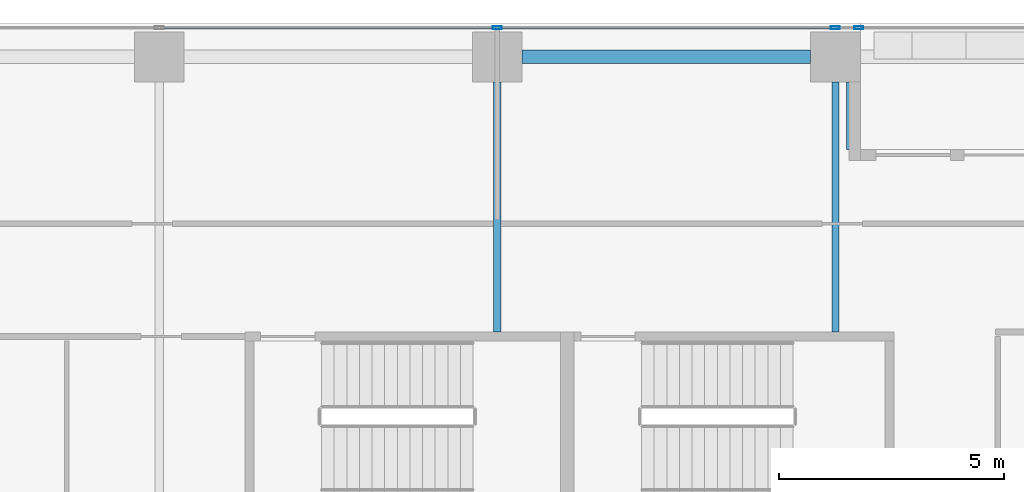
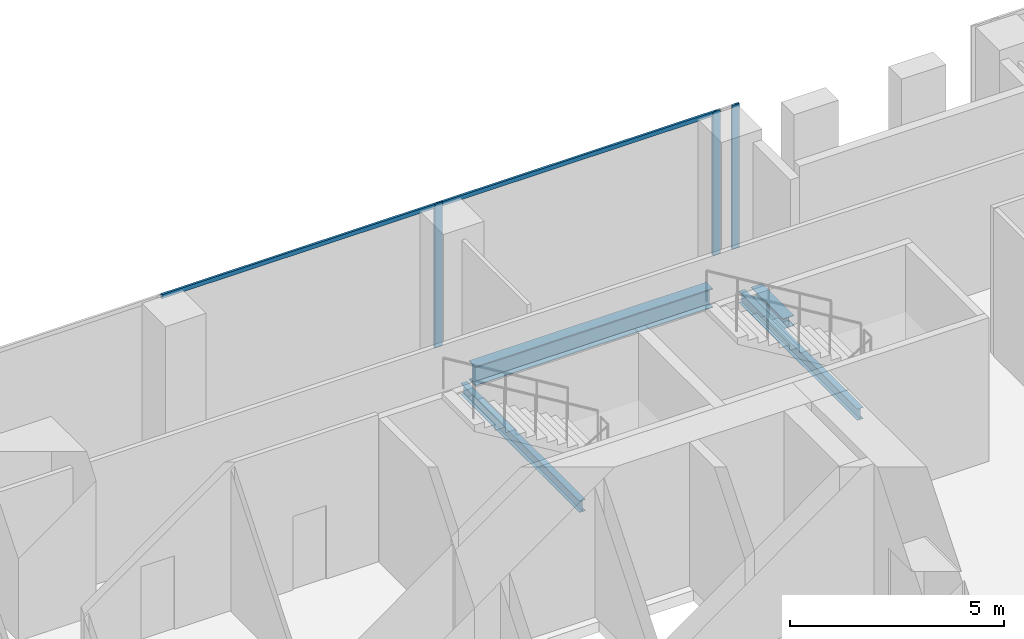
# One storey, part 17 of 35: 5 members, 4 beams, 1 element without a shape of its own.
"""IFC4 building model written with IfcOpenShell, lengths in metres."""

import ifcopenshell
import ifcopenshell.guid

model = None  # the IFC model being written
_history = None  # IfcOwnerHistory: only IFC2X3 demands one
_inside = {}  # id of a spatial element -> (the spatial element, [elements in it])
_under = {}  # id of a project, library or spatial element -> (it, [spatial elements below it])
_declared = {}  # id of a project -> (the project, [libraries it declares])
_typed = {}  # id of a type object -> (the type object, [elements of that type])
_made_of = {}  # id of a material, layer set ... -> (it, [elements and type objects made of it])


def new_model(schema):
    """Start an empty IFC model of exactly this schema.

    Asked for "IFC4X3", IfcOpenShell would pick the latest addendum, in which some entities
    have other attributes; the version numbers below select the first issue.
    IFC2X3 requires an IfcOwnerHistory on every rooted entity: one is made here for all.
    """
    global model, _history
    if schema == "IFC4X3":
        model = ifcopenshell.file(schema_version=(4, 3, 0, 0))
    else:
        model = ifcopenshell.file(schema=schema)
    _inside.clear()
    _under.clear()
    _declared.clear()
    _typed.clear()
    _made_of.clear()
    _history = None
    if model.schema == "IFC2X3":
        org = make("IfcOrganization", Name="unknown")
        user = make(
            "IfcPersonAndOrganization",
            ThePerson=make("IfcPerson", FamilyName="unknown"),
            TheOrganization=org,
        )
        app = make(
            "IfcApplication",
            ApplicationDeveloper=org,
            Version="unknown",
            ApplicationFullName="unknown",
            ApplicationIdentifier="unknown",
        )
        _history = make(
            "IfcOwnerHistory",
            OwningUser=user,
            OwningApplication=app,
            ChangeAction="ADDED",
            CreationDate=0,
        )
    return model


def make(cls, **values):
    """One entity of the class cls with the attributes given. An attribute that is None is left unset."""
    return model.create_entity(
        cls, **{name: value for name, value in values.items() if value is not None}
    )


def rooted(cls, **values):
    """An entity with a GlobalId (a new one), such as an element, a storey or a relation."""
    return make(cls, GlobalId=ifcopenshell.guid.new(), OwnerHistory=_history, **values)


def si_unit(unit_type, name, prefix=None):
    """IfcSIUnit, for example si_unit("LENGTHUNIT", "METRE", prefix="MILLI")."""
    return make("IfcSIUnit", UnitType=unit_type, Prefix=prefix, Name=name)


def assignment(units):
    """IfcUnitAssignment: the units of a project."""
    return None if units is None else make("IfcUnitAssignment", Units=units)


def point(xyz):
    """IfcCartesianPoint."""
    return None if xyz is None else make("IfcCartesianPoint", Coordinates=xyz)


def direction(xyz):
    """IfcDirection."""
    return None if xyz is None else make("IfcDirection", DirectionRatios=xyz)


def frame(location, z_axis=None, x_axis=None):
    """IfcAxis2Placement3D, a coordinate frame: its origin and axes. An axis left out is left unset."""
    return make(
        "IfcAxis2Placement3D",
        Location=point(location),
        Axis=direction(z_axis),
        RefDirection=direction(x_axis),
    )


def frame_2d(location, x_axis=None):
    """IfcAxis2Placement2D, a coordinate frame in the plane: its origin and x axis."""
    return make(
        "IfcAxis2Placement2D", Location=point(location), RefDirection=direction(x_axis)
    )


def origin():
    """The frame at (0, 0, 0) with its axes left unset."""
    return frame((0.0, 0.0, 0.0))


def origin_2d():
    """The frame at (0, 0) in the plane with its x axis left unset."""
    return frame_2d((0.0, 0.0))


def place(relative_to, where):
    """IfcLocalPlacement: puts the frame where relative to a parent placement (None: the world)."""
    return make(
        "IfcLocalPlacement", PlacementRelTo=relative_to, RelativePlacement=where
    )


def context(
    kind, dimensions, precision=None, world=None, true_north=None, identifier=None
):
    """IfcGeometricRepresentationContext, for example the 3D "Model" context."""
    return make(
        "IfcGeometricRepresentationContext",
        ContextIdentifier=identifier,
        ContextType=kind,
        CoordinateSpaceDimension=dimensions,
        Precision=precision,
        WorldCoordinateSystem=world,
        TrueNorth=true_north,
    )


def subcontext(parent, identifier, kind, view, scale=None):
    """IfcGeometricRepresentationSubContext, for example "Body" below "Model"."""
    return make(
        "IfcGeometricRepresentationSubContext",
        ContextIdentifier=identifier,
        ContextType=kind,
        ParentContext=parent,
        TargetScale=scale,
        TargetView=view,
    )


def project(units=None, contexts=None):
    """IfcProject with its units and contexts."""
    return rooted(
        "IfcProject",
        Name="project",
        RepresentationContexts=contexts,
        UnitsInContext=assignment(units),
    )


def spatial(cls, under=None, at=None, **own):
    """A site, building, storey or space (cls), placed at a placement, below another one or the project."""
    s = rooted(cls, ObjectPlacement=at, **own)
    if under is not None:
        _under.setdefault(under.id(), (under, []))[1].append(s)
    return s


def profile(cls, at=None, kind="AREA", **sizes):
    """A parametric profile (cls). Its sizes go by their IFC names, for example OverallWidth=200.0."""
    return make(cls, ProfileType=kind, Position=at, **sizes)


def hollow_rectangle(**sizes):
    """IfcRectangleHollowProfileDef."""
    return profile("IfcRectangleHollowProfileDef", **sizes)


def i_section(**sizes):
    """IfcIShapeProfileDef."""
    return profile("IfcIShapeProfileDef", **sizes)


def extrude(swept, where, along, depth):
    """IfcExtrudedAreaSolid: the profile swept, set in the frame where, extruded along a direction by depth."""
    return make(
        "IfcExtrudedAreaSolid",
        SweptArea=swept,
        Position=where,
        ExtrudedDirection=direction(along),
        Depth=depth,
    )


def shape(context_of_items, identifier, shape_type, items):
    """IfcShapeRepresentation: the items that make up one representation, for example the "Body"."""
    return make(
        "IfcShapeRepresentation",
        ContextOfItems=context_of_items,
        RepresentationIdentifier=identifier,
        RepresentationType=shape_type,
        Items=items,
    )


def source(mapping_origin, context_of_items, identifier, shape_type, items):
    """IfcRepresentationMap: a shape defined once, which mapped items show again and again."""
    return make(
        "IfcRepresentationMap",
        MappingOrigin=mapping_origin,
        MappedRepresentation=shape(context_of_items, identifier, shape_type, items),
    )


def transform(
    local_origin,
    x_axis=None,
    y_axis=None,
    z_axis=None,
    scale=None,
    scale2=None,
    scale3=None,
    uniform=True,
):
    """IfcCartesianTransformationOperator3D, or its non-uniform kind. x_axis, y_axis, z_axis: its Axis1, 2, 3."""
    if uniform:
        return make(
            "IfcCartesianTransformationOperator3D",
            Axis1=direction(x_axis),
            Axis2=direction(y_axis),
            LocalOrigin=point(local_origin),
            Scale=scale,
            Axis3=direction(z_axis),
        )
    return make(
        "IfcCartesianTransformationOperator3DnonUniform",
        Axis1=direction(x_axis),
        Axis2=direction(y_axis),
        LocalOrigin=point(local_origin),
        Scale=scale,
        Axis3=direction(z_axis),
        Scale2=scale2,
        Scale3=scale3,
    )


def mapped(mapping_source, mapping_target):
    """IfcMappedItem: shows the shape of a source again, moved by a transform."""
    return make(
        "IfcMappedItem", MappingSource=mapping_source, MappingTarget=mapping_target
    )


def material(Name=None, Category=None):
    """IfcMaterial."""
    return make("IfcMaterial", Name=Name, Category=Category)


def material_profile(
    of_material, cross_section, Name=None, Category=None, Priority=None
):
    """IfcMaterialProfile: a cross section and its material."""
    return make(
        "IfcMaterialProfile",
        Name=Name,
        Material=of_material,
        Profile=cross_section,
        Priority=Priority,
        Category=Category,
    )


def profile_set(profiles, Name=None, composite=None):
    """IfcMaterialProfileSet."""
    return make(
        "IfcMaterialProfileSet",
        Name=Name,
        MaterialProfiles=profiles,
        CompositeProfile=composite,
    )


def made_of(thing, what):
    """Note that an element or type object is made of a material, layer set ...; save() writes the relation."""
    if what is not None:
        _made_of.setdefault(what.id(), (what, []))[1].append(thing)
    return thing


def type_object(cls, material=None, **own):
    """A type object (cls), such as IfcWallType, which elements share."""
    return made_of(rooted(cls, **own), material)


def element(
    cls,
    number,
    at=None,
    inside=None,
    cuts=None,
    type_object=None,
    material=None,
    context=None,
    identifier="Body",
    shape_type=None,
    held_by="IfcProductDefinitionShape",
    body=None,
    shapes=None,
    **own,
):
    """One element of the class cls, such as IfcWall. Its Tag is "e" and its number.

    at: its placement. inside: the storey or other place that contains it. cuts: it is an
    opening in that element (IfcRelVoidsElement). A single representation is given by context,
    identifier, shape_type and body (its items); several are given by shapes. held_by: the class
    of the entity that holds the representations. save() writes the other relations.
    """
    e = rooted(cls, Tag="e%d" % number, ObjectPlacement=at, **own)
    if body is not None:
        shapes = [shape(context, identifier, shape_type, body)]
    if shapes is not None:
        e.Representation = make(held_by, Representations=shapes)
    if inside is not None:
        _inside.setdefault(inside.id(), (inside, []))[1].append(e)
    if cuts is not None:
        rooted(
            "IfcRelVoidsElement", RelatingBuildingElement=cuts, RelatedOpeningElement=e
        )
    if type_object is not None:
        _typed.setdefault(type_object.id(), (type_object, []))[1].append(e)
    return made_of(e, material)


def aggregate(whole, parts):
    """IfcRelAggregates: a whole, such as a stair, and the parts it consists of."""
    return rooted("IfcRelAggregates", RelatingObject=whole, RelatedObjects=parts)


def save(model, path):
    """Write the relations noted so far, then the file.

    IfcRelAggregates (storeys below a building ...), IfcRelContainedInSpatialStructure (elements
    in a storey), IfcRelDefinesByType, IfcRelAssociatesMaterial and IfcRelDeclares: one each for
    every whole, place, type object, material and project.
    """
    for whole, parts in _under.values():
        aggregate(whole, parts)
    for where, things in _inside.values():
        rooted(
            "IfcRelContainedInSpatialStructure",
            RelatedElements=things,
            RelatingStructure=where,
        )
    for kind, things in _typed.values():
        rooted("IfcRelDefinesByType", RelatedObjects=things, RelatingType=kind)
    for what, things in _made_of.values():
        rooted("IfcRelAssociatesMaterial", RelatedObjects=things, RelatingMaterial=what)
    for by, libraries in _declared.values():
        rooted("IfcRelDeclares", RelatingContext=by, RelatedDefinitions=libraries)
    model.write(path)


model = new_model("IFC4")

# Units and contexts
model_context = context("Model", 3, precision=1e-05, world=origin(), true_north=direction((0.0, 1.0)))
body_context = subcontext(model_context, "Body", "Model", "MODEL_VIEW")
ifc_project = project(units=[si_unit("LENGTHUNIT", "METRE"), si_unit("AREAUNIT", "SQUARE_METRE"), si_unit("VOLUMEUNIT", "CUBIC_METRE"), si_unit("PLANEANGLEUNIT", "RADIAN"), si_unit("MASSUNIT", "GRAM", prefix="KILO")], contexts=[model_context])

# Site, building, storey
site_placement = place(None, origin())
site = spatial("IfcSite", under=ifc_project, at=site_placement, CompositionType="ELEMENT")
building_placement = place(site_placement, origin())
building = spatial("IfcBuilding", under=site, at=building_placement, Name="Khomas Fold Tower", CompositionType="ELEMENT")
storey_placement = place(building_placement, frame((0.0, 0.0, 119.10009765625)))
storey = spatial("IfcBuildingStorey", under=building, at=storey_placement, Name="L25", CompositionType="ELEMENT", Elevation=119.10009765625)

# Beams
ifc_material_1 = material(Name="Steel S355", Category="steel")
ifc_material_profile_1 = material_profile(ifc_material_1, i_section(OverallWidth=0.300048828125, OverallDepth=0.550048828125, WebThickness=0.014892578125, FlangeThickness=0.029052734375, at=origin_2d()), Name="HE 550 B")
ifc_profile_set_1 = profile_set([ifc_material_profile_1], Name="Steel S355")
beam_type_1 = type_object("IfcBeamType", Name="HE 550 B spandrel SB2", PredefinedType="SPANDREL", material=ifc_profile_set_1)
shared_shape_1 = source(origin(), body_context, "Body", "SweptSolid", [
    extrude(i_section(OverallWidth=0.300048828125, OverallDepth=0.550048828125, WebThickness=0.014892578125, FlangeThickness=0.029052734375, at=origin_2d()), origin(), (0.0, 0.0, 1.0), 6.39990234375),
])
beam_1_placement = place(storey_placement, frame((20.050048828125, 51.75, -0.5751953125), z_axis=(1.0, 0.0, 0.0), x_axis=(0.0, 1.0, 0.0)))
element("IfcBeam", 1, at=beam_1_placement, inside=storey, type_object=beam_type_1, Name="SB2", PredefinedType="SPANDREL", context=body_context, shape_type="MappedRepresentation", body=[
    mapped(shared_shape_1, transform((0.0, 0.0, 0.0))),
])
ifc_material_2 = material(Name="Steel S355", Category="steel")
ifc_material_profile_2 = material_profile(ifc_material_2, i_section(OverallWidth=0.159912109375, OverallDepth=0.330078125, WebThickness=0.007568359375, FlangeThickness=0.011474609375, at=origin_2d()), Name="IPE 330")
ifc_profile_set_2 = profile_set([ifc_material_profile_2], Name="Steel S355")
beam_type_2 = type_object("IfcBeamType", Name="IPE 330 beam JB1", PredefinedType="BEAM", material=ifc_profile_set_2)
shared_shape_2 = source(origin(), body_context, "Body", "SweptSolid", [
    extrude(i_section(OverallWidth=0.159912109375, OverallDepth=0.330078125, WebThickness=0.007568359375, FlangeThickness=0.011474609375, at=origin_2d()), origin(), (0.0, 0.0, 1.0), 5.550048828125),
])
for number, where, z_axis, x_axis, name in (
    (2, (19.5, 45.64990234375, -0.465087890625), (0.0, 1.0, 0.0), (-1.0, 0.0, 0.0), "JB1"),
    (3, (27.0, 45.64990234375, -0.465087890625), (0.0, 1.0, 0.0), (-1.0, 0.0, 0.0), "JB1"),
):
    element("IfcBeam", number, at=place(storey_placement, frame(where, z_axis=z_axis, x_axis=x_axis)), inside=storey, type_object=beam_type_2, Name=name, PredefinedType="BEAM", context=body_context, shape_type="MappedRepresentation", body=[
        mapped(shared_shape_2, transform((0.0, 0.0, 0.0))),
    ])
ifc_material_3 = material(Name="Steel S355", Category="steel")
ifc_material_profile_3 = material_profile(ifc_material_3, i_section(OverallWidth=0.300048828125, OverallDepth=0.300048828125, WebThickness=0.010986328125, FlangeThickness=0.01904296875, at=origin_2d()), Name="HE 300 B")
ifc_profile_set_3 = profile_set([ifc_material_profile_3], Name="Steel S355")
beam_type_3 = type_object("IfcBeamType", Name="HE 300 B beam BB1", PredefinedType="BEAM", material=ifc_profile_set_3)
shared_shape_3 = source(origin(), body_context, "Body", "SweptSolid", [
    extrude(i_section(OverallWidth=0.300048828125, OverallDepth=0.300048828125, WebThickness=0.010986328125, FlangeThickness=0.01904296875, at=origin_2d()), origin(), (0.0, 0.0, 1.0), 1.5),
])
beam_2_placement = place(storey_placement, frame((27.39990234375, 49.699951171875, -0.4501953125), z_axis=(0.0, 1.0, 0.0), x_axis=(-1.0, 0.0, 0.0)))
element("IfcBeam", 4, at=beam_2_placement, inside=storey, type_object=beam_type_3, Name="BB1", PredefinedType="BEAM", context=body_context, shape_type="MappedRepresentation", body=[
    mapped(shared_shape_3, transform((0.0, 0.0, 0.0))),
])

# Curtain wall, members
ifc_material_4 = material(Name="Aluminium framed double glazing", Category="aluminium")
curtain_wall_type = type_object("IfcCurtainWallType", Name="SK-Unitised clear-glass wall, growing floors CW1", PredefinedType="NOTDEFINED", material=ifc_material_4)
curtain_wall_placement = place(storey_placement, origin())
curtain_wall = element("IfcCurtainWall", 5, at=curtain_wall_placement, inside=storey, type_object=curtain_wall_type, Name="CW1 run L25 06-1", PredefinedType="NOTDEFINED")
ifc_material_5 = material(Name="Aluminium", Category="aluminium")
ifc_material_profile_4 = material_profile(ifc_material_5, hollow_rectangle(XDim=0.06005859375, YDim=0.1201171875, WallThickness=0.00390625, at=origin_2d()), Name="SK-Unitised clear-glass wall, growing floors transom CW1-T")
ifc_profile_set_4 = profile_set([ifc_material_profile_4], Name="Aluminium")
member_type_1 = type_object("IfcMemberType", Name="SK-Unitised clear-glass wall, growing floors transom CW1-T", PredefinedType="USERDEFINED", material=ifc_profile_set_4)
shared_shape_4 = source(origin(), body_context, "Body", "SweptSolid", [
    extrude(hollow_rectangle(XDim=0.06005859375, YDim=0.1201171875, WallThickness=0.00390625, at=origin_2d()), origin(), (0.0, 0.0, 1.0), 7.43994140625),
])
member_1_placement = place(storey_placement, frame((26.969970703125, 52.39990234375, 4.039794921875), z_axis=(-1.0, 0.0, 0.0), x_axis=(0.0, -1.0, 0.0)))
member_1 = element("IfcMember", 6, at=member_1_placement, type_object=member_type_1, Name="CW1 transom 2", ObjectType="TRANSOM", PredefinedType="USERDEFINED", context=body_context, shape_type="MappedRepresentation", body=[
    mapped(shared_shape_4, transform((0.0, 0.0, 0.0))),
])
member_2_placement = place(storey_placement, frame((19.469970703125, 52.39990234375, 4.039794921875), z_axis=(-1.0, 0.0, 0.0), x_axis=(0.0, -1.0, 0.0)))
member_2 = element("IfcMember", 7, at=member_2_placement, type_object=member_type_1, Name="CW1 transom 3", ObjectType="TRANSOM", PredefinedType="USERDEFINED", context=body_context, shape_type="MappedRepresentation", body=[
    mapped(shared_shape_4, transform((0.0, 0.0, 0.0))),
])
ifc_material_6 = material(Name="Aluminium", Category="aluminium")
ifc_material_profile_5 = material_profile(ifc_material_6, hollow_rectangle(XDim=0.06005859375, YDim=0.199951171875, WallThickness=0.00390625, at=origin_2d()), Name="SK-Unitised clear-glass wall, growing floors mullion CW1-M")
ifc_profile_set_5 = profile_set([ifc_material_profile_5], Name="Aluminium")
member_type_2 = type_object("IfcMemberType", Name="SK-Unitised clear-glass wall, growing floors mullion CW1-M", PredefinedType="MULLION", material=ifc_profile_set_5)
shared_shape_5 = source(origin(), body_context, "Body", "SweptSolid", [
    extrude(hollow_rectangle(XDim=0.06005859375, YDim=0.199951171875, WallThickness=0.00390625, at=origin_2d()), origin(), (0.0, 0.0, 1.0), 4.099853515625),
])
member_3_placement = place(storey_placement, frame((27.52001953125, 52.39990234375, 0.0), z_axis=(0.0, 0.0, 1.0), x_axis=(0.0, -1.0, 0.0)))
member_3 = element("IfcMember", 8, at=member_3_placement, type_object=member_type_2, Name="CW1 mullion 1", PredefinedType="MULLION", context=body_context, shape_type="MappedRepresentation", body=[
    mapped(shared_shape_5, transform((0.0, 0.0, 0.0))),
])
member_4_placement = place(storey_placement, frame((27.0, 52.39990234375, 0.0), z_axis=(0.0, 0.0, 1.0), x_axis=(0.0, -1.0, 0.0)))
member_4 = element("IfcMember", 9, at=member_4_placement, type_object=member_type_2, Name="CW1 mullion 2", PredefinedType="MULLION", context=body_context, shape_type="MappedRepresentation", body=[
    mapped(shared_shape_5, transform((0.0, 0.0, 0.0))),
])
member_5_placement = place(storey_placement, frame((19.5, 52.39990234375, 0.0), z_axis=(0.0, 0.0, 1.0), x_axis=(0.0, -1.0, 0.0)))
member_5 = element("IfcMember", 10, at=member_5_placement, type_object=member_type_2, Name="CW1 mullion 3", PredefinedType="MULLION", context=body_context, shape_type="MappedRepresentation", body=[
    mapped(shared_shape_5, transform((0.0, 0.0, 0.0))),
])
aggregate(curtain_wall, [member_3, member_4, member_5, member_1, member_2])

save(model, "model.ifc")
